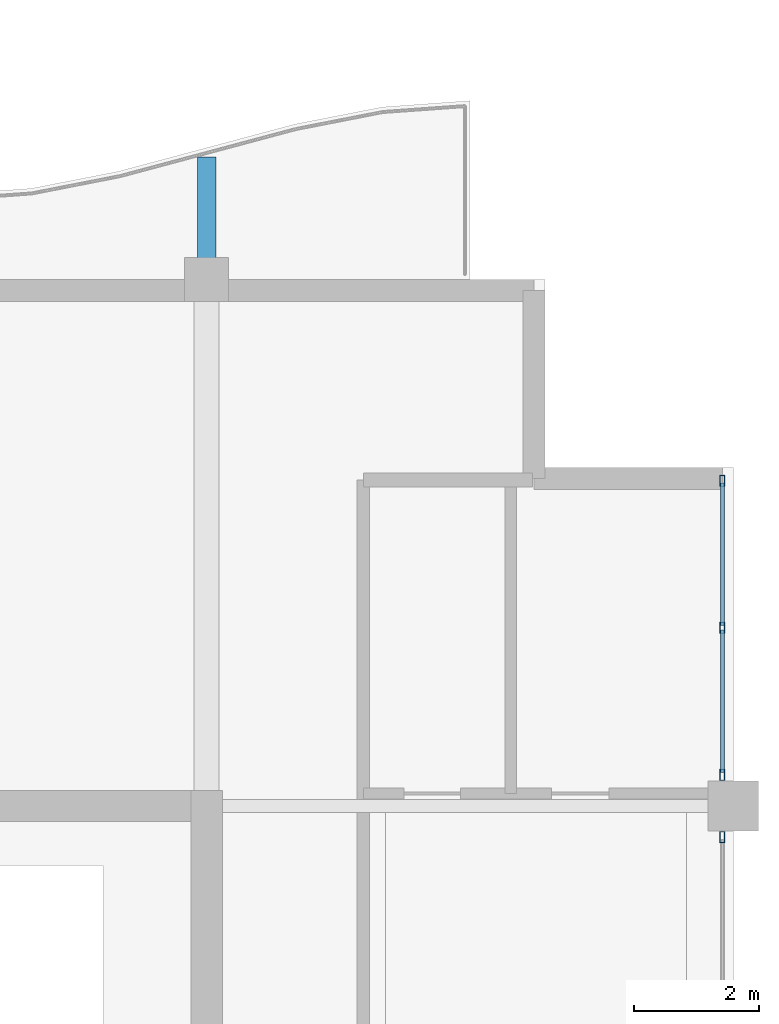
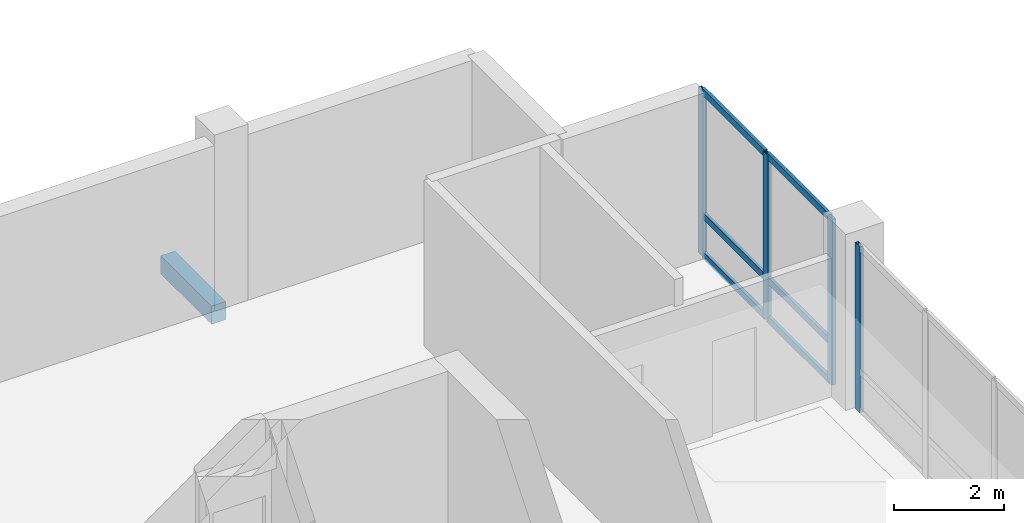
# One storey, part 4 of 14: 10 members, 1 beam, 2 elements without a shape of their own.
"""IFC4 building model written with IfcOpenShell, lengths in metres."""

from ifc_helpers import new_model, si_unit, direction, frame, origin, origin_2d, place, context, subcontext, project, spatial, rectangle, hollow_rectangle, extrude, material, layer, layer_set, material_profile, profile_set, type_object, element, aggregate, save


model = new_model("IFC4")

# Units and contexts
model_context = context("Model", 3, precision=1e-05, world=origin(), true_north=direction((0.0, 1.0)))
body_context = subcontext(model_context, "Body", "Model", "MODEL_VIEW")
ifc_project = project(units=[si_unit("LENGTHUNIT", "METRE"), si_unit("AREAUNIT", "SQUARE_METRE"), si_unit("VOLUMEUNIT", "CUBIC_METRE"), si_unit("PLANEANGLEUNIT", "RADIAN"), si_unit("MASSUNIT", "GRAM", prefix="KILO")], contexts=[model_context])

# Site, building, storey
site_placement = place(None, origin())
site = spatial("IfcSite", under=ifc_project, at=site_placement, CompositionType="ELEMENT")
building_placement = place(site_placement, origin())
building = spatial("IfcBuilding", under=site, at=building_placement, Name="Koriwani Terraces Tower", CompositionType="ELEMENT")
storey_placement = place(building_placement, frame((0.0, 0.0, 308.60009765625)))
storey = spatial("IfcBuildingStorey", under=building, at=storey_placement, Name="L76", CompositionType="ELEMENT", Elevation=308.60009765625)

# Beam
ifc_material_1 = material(Name="Concrete C40/50", Category="concrete")
ifc_material_profile_1 = material_profile(ifc_material_1, rectangle(XDim=0.300048828125, YDim=0.39990234375, at=origin_2d()), Name="Concrete C40/50", Category="LoadBearing")
ifc_profile_set_1 = profile_set([ifc_material_profile_1], Name="Concrete C40/50")
beam_type = type_object("IfcBeamType", Name="BEAM_RC_BALCONY_RIB_300X400", PredefinedType="JOIST", material=ifc_profile_set_1)
beam_placement = place(storey_placement, frame((58.800048828125, 33.699951171875, -0.43017578125), z_axis=(0.0, 1.0, 0.0), x_axis=(-1.0, 0.0, 0.0)))
element("IfcBeam", 1, at=beam_placement, inside=storey, type_object=beam_type, Name="L76 Balcony Bracket Rib NE-3", PredefinedType="JOIST", context=body_context, shape_type="SweptSolid", body=[
    extrude(rectangle(XDim=0.300048828125, YDim=0.39990234375, at=origin_2d()), origin(), (0.0, 0.0, 1.0), 1.85009765625),
])

# Curtain wall, members
ifc_material_2 = material(Name="Anodised Bronze Aluminium", Category="aluminium")
ifc_layer = layer(ifc_material_2, 0.18994140625, Name="Anodised Bronze Aluminium")
ifc_layer_set = layer_set([ifc_layer], Name="Anodised Bronze Aluminium")
curtain_wall_type = type_object("IfcCurtainWallType", Name="CW_PENTHOUSE_ZONE5", PredefinedType="NOTDEFINED", material=ifc_layer_set)
curtain_wall_1_placement = place(storey_placement, origin())
curtain_wall_1 = element("IfcCurtainWall", 2, at=curtain_wall_1_placement, inside=storey, type_object=curtain_wall_type, Name="L76 Unitised Curtain Wall (E_TIP) Bay 1", PredefinedType="NOTDEFINED")
ifc_material_profile_2 = material_profile(ifc_material_2, hollow_rectangle(XDim=0.074951171875, YDim=0.179931640625, WallThickness=0.006103515625, at=origin_2d()), Name="Anodised Bronze Aluminium", Category="LoadBearing")
ifc_profile_set_2 = profile_set([ifc_material_profile_2], Name="Anodised Bronze Aluminium")
member_type_1 = type_object("IfcMemberType", Name="CW_MULLION_180X75", PredefinedType="MULLION", material=ifc_profile_set_2)
member_1_placement = place(storey_placement, frame((67.02490234375, 30.387451171875, 0.0), z_axis=(0.0, 0.0, 1.0), x_axis=(1.0, 0.0, 0.0)))
member_1 = element("IfcMember", 3, at=member_1_placement, type_object=member_type_1, Name="CW-Z5 mullion 1", PredefinedType="MULLION", context=body_context, shape_type="SweptSolid", body=[
    extrude(hollow_rectangle(XDim=0.074951171875, YDim=0.179931640625, WallThickness=0.006103515625, at=origin_2d()), origin(), (0.0, 0.0, 1.0), 3.669921875),
])
member_2_placement = place(storey_placement, frame((67.02490234375, 28.04248046875, 0.0), z_axis=(0.0, 0.0, 1.0), x_axis=(1.0, 0.0, 0.0)))
member_2 = element("IfcMember", 4, at=member_2_placement, type_object=member_type_1, Name="CW-Z5 mullion 2", PredefinedType="MULLION", context=body_context, shape_type="SweptSolid", body=[
    extrude(hollow_rectangle(XDim=0.074951171875, YDim=0.179931640625, WallThickness=0.006103515625, at=origin_2d()), origin(), (0.0, 0.0, 1.0), 3.669921875),
])
member_3_placement = place(storey_placement, frame((67.02490234375, 25.697509765625, 0.0), z_axis=(0.0, 0.0, 1.0), x_axis=(1.0, 0.0, 0.0)))
member_3 = element("IfcMember", 5, at=member_3_placement, type_object=member_type_1, Name="CW-Z5 mullion 3", PredefinedType="MULLION", context=body_context, shape_type="SweptSolid", body=[
    extrude(hollow_rectangle(XDim=0.074951171875, YDim=0.179931640625, WallThickness=0.006103515625, at=origin_2d()), origin(), (0.0, 0.0, 1.0), 3.669921875),
])

# Curtain wall, member
curtain_wall_2_placement = place(storey_placement, origin())
curtain_wall_2 = element("IfcCurtainWall", 6, at=curtain_wall_2_placement, inside=storey, type_object=curtain_wall_type, Name="L76 Unitised Curtain Wall (E_TIP) Bay 2", PredefinedType="NOTDEFINED")
member_4_placement = place(storey_placement, frame((67.02490234375, 24.702392578125, 0.0), z_axis=(0.0, 0.0, 1.0), x_axis=(1.0, 0.0, 0.0)))
member_4 = element("IfcMember", 7, at=member_4_placement, type_object=member_type_1, Name="CW-Z5 mullion 1", PredefinedType="MULLION", context=body_context, shape_type="SweptSolid", body=[
    extrude(hollow_rectangle(XDim=0.074951171875, YDim=0.179931640625, WallThickness=0.006103515625, at=origin_2d()), origin(), (0.0, 0.0, 1.0), 3.669921875),
])
aggregate(curtain_wall_2, [member_4])

# Member
ifc_material_profile_3 = material_profile(ifc_material_2, hollow_rectangle(XDim=0.06494140625, YDim=0.14990234375, WallThickness=0.0048828125, at=origin_2d()), Name="Anodised Bronze Aluminium", Category="LoadBearing")
ifc_profile_set_3 = profile_set([ifc_material_profile_3], Name="Anodised Bronze Aluminium")
member_type_2 = type_object("IfcMemberType", Name="CW_TRANSOM_150X65", PredefinedType="USERDEFINED", material=ifc_profile_set_3)
member_5_placement = place(storey_placement, frame((67.02490234375, 30.35009765625, 0.032470703125), z_axis=(0.0, -1.0, 0.0), x_axis=(1.0, 0.0, 0.0)))
member_5 = element("IfcMember", 8, at=member_5_placement, type_object=member_type_2, Name="CW-Z5 transom 1.1", ObjectType="TRANSOM", PredefinedType="USERDEFINED", context=body_context, shape_type="SweptSolid", body=[
    extrude(hollow_rectangle(XDim=0.06494140625, YDim=0.14990234375, WallThickness=0.0048828125, at=origin_2d()), origin(), (0.0, 0.0, 1.0), 2.27001953125),
])

member_6_placement = place(storey_placement, frame((67.02490234375, 30.35009765625, 0.89990234375), z_axis=(0.0, -1.0, 0.0), x_axis=(1.0, 0.0, 0.0)))
member_6 = element("IfcMember", 9, at=member_6_placement, type_object=member_type_2, Name="CW-Z5 transom 1.2", ObjectType="TRANSOM", PredefinedType="USERDEFINED", context=body_context, shape_type="SweptSolid", body=[
    extrude(hollow_rectangle(XDim=0.06494140625, YDim=0.14990234375, WallThickness=0.0048828125, at=origin_2d()), origin(), (0.0, 0.0, 1.0), 2.27001953125),
])

member_7_placement = place(storey_placement, frame((67.02490234375, 30.35009765625, 3.637451171875), z_axis=(0.0, -1.0, 0.0), x_axis=(1.0, 0.0, 0.0)))
member_7 = element("IfcMember", 10, at=member_7_placement, type_object=member_type_2, Name="CW-Z5 transom 1.3", ObjectType="TRANSOM", PredefinedType="USERDEFINED", context=body_context, shape_type="SweptSolid", body=[
    extrude(hollow_rectangle(XDim=0.06494140625, YDim=0.14990234375, WallThickness=0.0048828125, at=origin_2d()), origin(), (0.0, 0.0, 1.0), 2.27001953125),
])

member_8_placement = place(storey_placement, frame((67.02490234375, 28.0048828125, 0.032470703125), z_axis=(0.0, -1.0, 0.0), x_axis=(1.0, 0.0, 0.0)))
member_8 = element("IfcMember", 11, at=member_8_placement, type_object=member_type_2, Name="CW-Z5 transom 2.1", ObjectType="TRANSOM", PredefinedType="USERDEFINED", context=body_context, shape_type="SweptSolid", body=[
    extrude(hollow_rectangle(XDim=0.06494140625, YDim=0.14990234375, WallThickness=0.0048828125, at=origin_2d()), origin(), (0.0, 0.0, 1.0), 2.269775390625),
])

member_9_placement = place(storey_placement, frame((67.02490234375, 28.0048828125, 0.89990234375), z_axis=(0.0, -1.0, 0.0), x_axis=(1.0, 0.0, 0.0)))
member_9 = element("IfcMember", 12, at=member_9_placement, type_object=member_type_2, Name="CW-Z5 transom 2.2", ObjectType="TRANSOM", PredefinedType="USERDEFINED", context=body_context, shape_type="SweptSolid", body=[
    extrude(hollow_rectangle(XDim=0.06494140625, YDim=0.14990234375, WallThickness=0.0048828125, at=origin_2d()), origin(), (0.0, 0.0, 1.0), 2.269775390625),
])

member_10_placement = place(storey_placement, frame((67.02490234375, 28.0048828125, 3.637451171875), z_axis=(0.0, -1.0, 0.0), x_axis=(1.0, 0.0, 0.0)))
member_10 = element("IfcMember", 13, at=member_10_placement, type_object=member_type_2, Name="CW-Z5 transom 2.3", ObjectType="TRANSOM", PredefinedType="USERDEFINED", context=body_context, shape_type="SweptSolid", body=[
    extrude(hollow_rectangle(XDim=0.06494140625, YDim=0.14990234375, WallThickness=0.0048828125, at=origin_2d()), origin(), (0.0, 0.0, 1.0), 2.269775390625),
])

aggregate(curtain_wall_1, [member_1, member_2, member_3, member_5, member_6, member_7, member_8, member_9, member_10])

save(model, "model.ifc")
